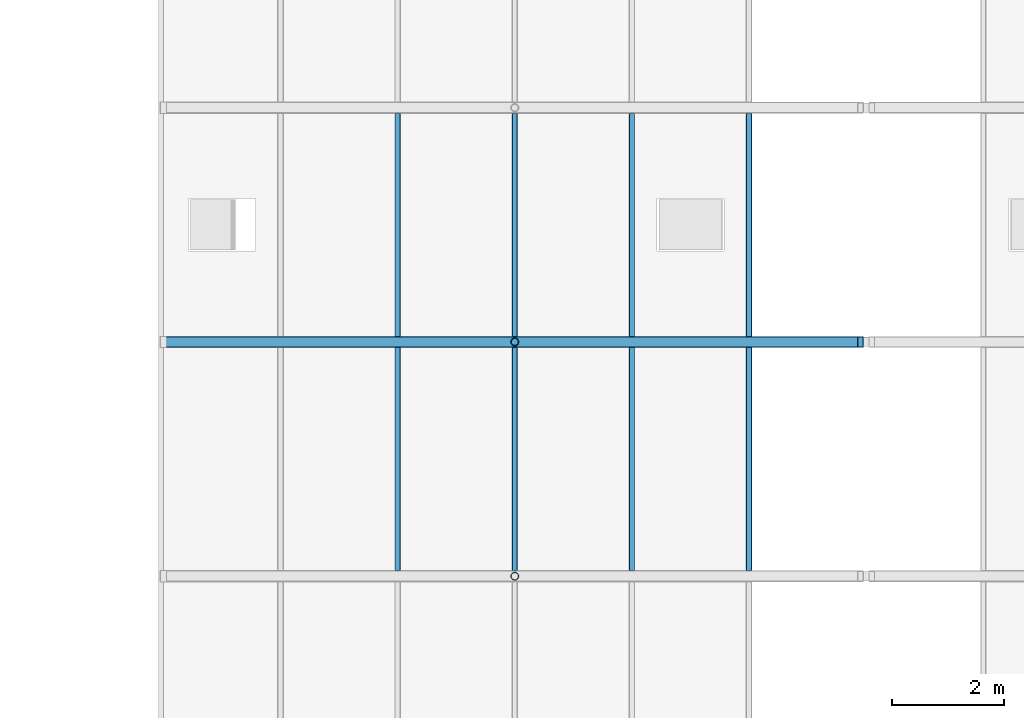
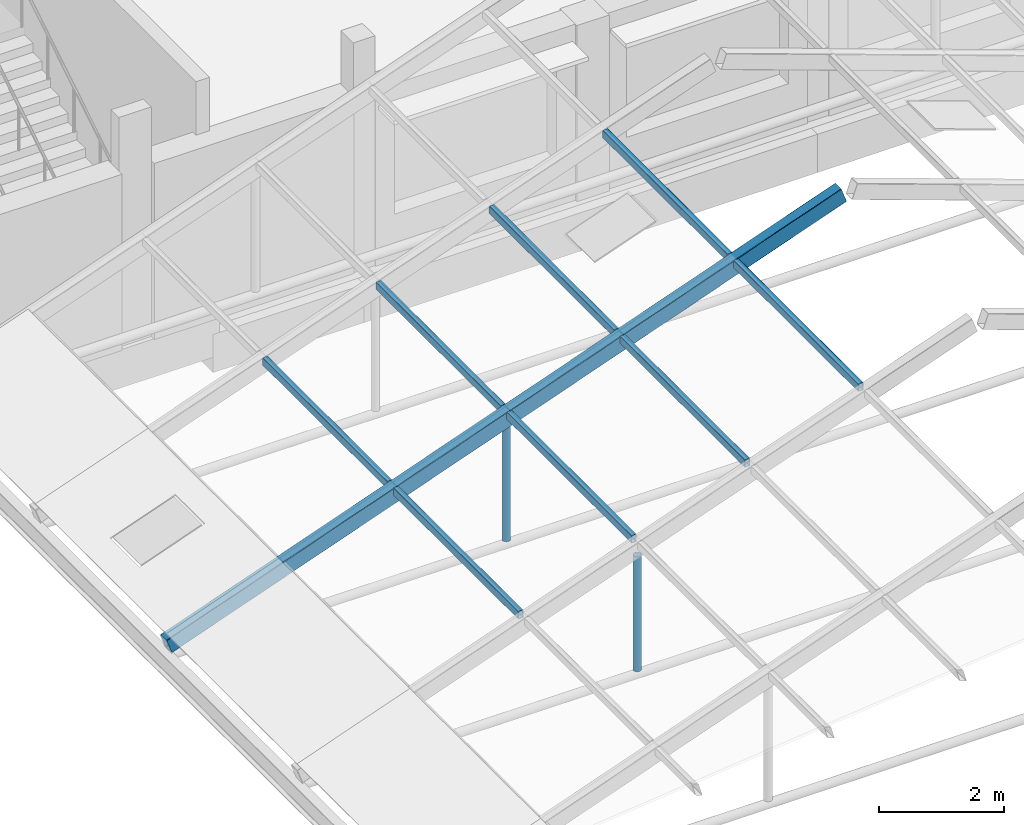
# One storey, part 65 of 116: 11 members.
"""IFC4 building model written with IfcOpenShell, lengths in metres."""

from ifc_helpers import new_model, si_unit, direction, frame, origin, origin_2d, place, context, subcontext, project, spatial, hollow_rectangle, hollow_circle, extrude, material, material_profile, profile_set, type_object, element, save


model = new_model("IFC4")

# Units and contexts
model_context = context("Model", 3, precision=1e-05, world=origin(), true_north=direction((0.0, 1.0)))
body_context = subcontext(model_context, "Body", "Model", "MODEL_VIEW")
ifc_project = project(units=[si_unit("LENGTHUNIT", "METRE"), si_unit("AREAUNIT", "SQUARE_METRE"), si_unit("VOLUMEUNIT", "CUBIC_METRE"), si_unit("PLANEANGLEUNIT", "RADIAN"), si_unit("MASSUNIT", "GRAM", prefix="KILO")], contexts=[model_context])

# Site, building, storey
site_placement = place(None, origin())
site = spatial("IfcSite", under=ifc_project, at=site_placement, CompositionType="ELEMENT")
building_placement = place(site_placement, origin())
building = spatial("IfcBuilding", under=site, at=building_placement, Name="Fescue Hill Polytechnic", CompositionType="ELEMENT")
storey_placement = place(building_placement, frame((0.0, 0.0, 13.5)))
storey = spatial("IfcBuildingStorey", under=building, at=storey_placement, Name="L03", CompositionType="ELEMENT", Elevation=13.5)

# Members
ifc_material = material(Name="Steel 350W (350 MPa)", Category="steel")
ifc_material_profile_1 = material_profile(ifc_material, hollow_rectangle(XDim=0.1015625, YDim=0.15234375, WallThickness=0.00634765625, InnerFilletRadius=0.00634765625, OuterFilletRadius=0.0126953125, at=origin_2d()), Name="Winter garden glazing purlin HSS 152x102x6.4")
ifc_profile_set_1 = profile_set([ifc_material_profile_1], Name="Steel 350W (350 MPa)")
member_type_1 = type_object("IfcMemberType", Name="Winter garden glazing purlin HSS 152x102x6.4", PredefinedType="PURLIN", material=ifc_profile_set_1)
for number, where, z_axis, x_axis, name in (
    (1, (96.599853515625, 96.70166015625, 2.164306640625), (0.0, 1.0, 0.0), (-1.0, 0.0, 0.0), "Winter garden glazing purlin W2 bay 12"),
    (2, (98.69970703125, 96.70166015625, 2.914306640625), (0.0, 1.0, 0.0), (-1.0, 0.0, 0.0), "Winter garden glazing purlin W3 bay 12"),
    (3, (100.799560546875, 96.70166015625, 3.664306640625), (0.0, 1.0, 0.0), (-1.0, 0.0, 0.0), "Winter garden glazing purlin W4 bay 12"),
    (4, (102.899658203125, 96.70166015625, 4.414306640625), (0.0, 1.0, 0.0), (-1.0, 0.0, 0.0), "Winter garden glazing purlin W5 bay 12"),
    (5, (96.599853515625, 100.901611328125, 2.164306640625), (0.0, 1.0, 0.0), (-1.0, 0.0, 0.0), "Winter garden glazing purlin W2 bay 13"),
    (6, (98.69970703125, 100.901611328125, 2.914306640625), (0.0, 1.0, 0.0), (-1.0, 0.0, 0.0), "Winter garden glazing purlin W3 bay 13"),
    (7, (100.799560546875, 100.901611328125, 3.664306640625), (0.0, 1.0, 0.0), (-1.0, 0.0, 0.0), "Winter garden glazing purlin W4 bay 13"),
    (8, (102.899658203125, 100.901611328125, 4.414306640625), (0.0, 1.0, 0.0), (-1.0, 0.0, 0.0), "Winter garden glazing purlin W5 bay 13"),
):
    element("IfcMember", number, at=place(storey_placement, frame(where, z_axis=z_axis, x_axis=x_axis)), inside=storey, type_object=member_type_1, Name=name, PredefinedType="PURLIN", context=body_context, shape_type="SweptSolid", body=[
        extrude(hollow_rectangle(XDim=0.1015625, YDim=0.15234375, WallThickness=0.00634765625, InnerFilletRadius=0.00634765625, OuterFilletRadius=0.0126953125, at=origin_2d()), origin(), (0.0, 0.0, 1.0), 3.996826171875),
    ])
ifc_material_profile_2 = material_profile(ifc_material, hollow_circle(Radius=0.070556640625, WallThickness=0.00634765625, at=origin_2d()), Name="Winter garden queen post CHS 141x6.4")
ifc_profile_set_2 = profile_set([ifc_material_profile_2], Name="Steel 350W (350 MPa)")
member_type_2 = type_object("IfcMemberType", Name="Winter garden queen post CHS 141x6.4", PredefinedType="POST", material=ifc_profile_set_2)
for number, where, z_axis, x_axis, name in (
    (9, (98.699951171875, 96.60009765625, 0.4169921875), (0.0, 0.0, 1.0), (1.0, 0.0, 0.0), "Winter garden queen post 12A"),
    (10, (98.699951171875, 100.800048828125, 0.4169921875), (0.0, 0.0, 1.0), (1.0, 0.0, 0.0), "Winter garden queen post 13A"),
):
    element("IfcMember", number, at=place(storey_placement, frame(where, z_axis=z_axis, x_axis=x_axis)), inside=storey, type_object=member_type_2, Name=name, PredefinedType="POST", context=body_context, shape_type="SweptSolid", body=[
        extrude(hollow_circle(Radius=0.070556640625, WallThickness=0.00634765625, at=origin_2d()), origin(), (0.0, 0.0, 1.0), 2.25),
    ])
ifc_material_profile_3 = material_profile(ifc_material, hollow_rectangle(XDim=0.203125, YDim=0.3046875, WallThickness=0.009521484375, InnerFilletRadius=0.009521484375, OuterFilletRadius=0.01904296875, at=origin_2d()), Name="Winter garden rafter HSS 305x203x9.5")
ifc_profile_set_3 = profile_set([ifc_material_profile_3], Name="Steel 350W (350 MPa)")
member_type_3 = type_object("IfcMemberType", Name="Winter garden rafter HSS 305x203x9.5", PredefinedType="RAFTER", material=ifc_profile_set_3)
member_placement = place(storey_placement, frame((92.39990234375, 100.800048828125, 0.578857421875), z_axis=(0.941740247025, 0.0, 0.336341057756), x_axis=(0.0, 1.0, 0.0)))
element("IfcMember", 11, at=member_placement, inside=storey, type_object=member_type_3, Name="Winter garden rafter W13", PredefinedType="RAFTER", context=body_context, shape_type="SweptSolid", body=[
    extrude(hollow_rectangle(XDim=0.203125, YDim=0.3046875, WallThickness=0.009521484375, InnerFilletRadius=0.009521484375, OuterFilletRadius=0.01904296875, at=origin_2d()), origin(), (0.0, 0.0, 1.0), 13.273193359375),
])

save(model, "model.ifc")
